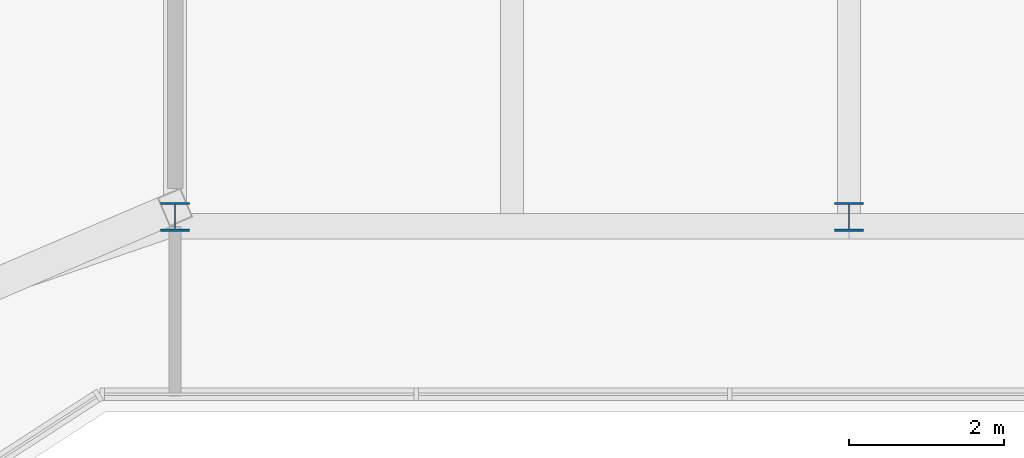
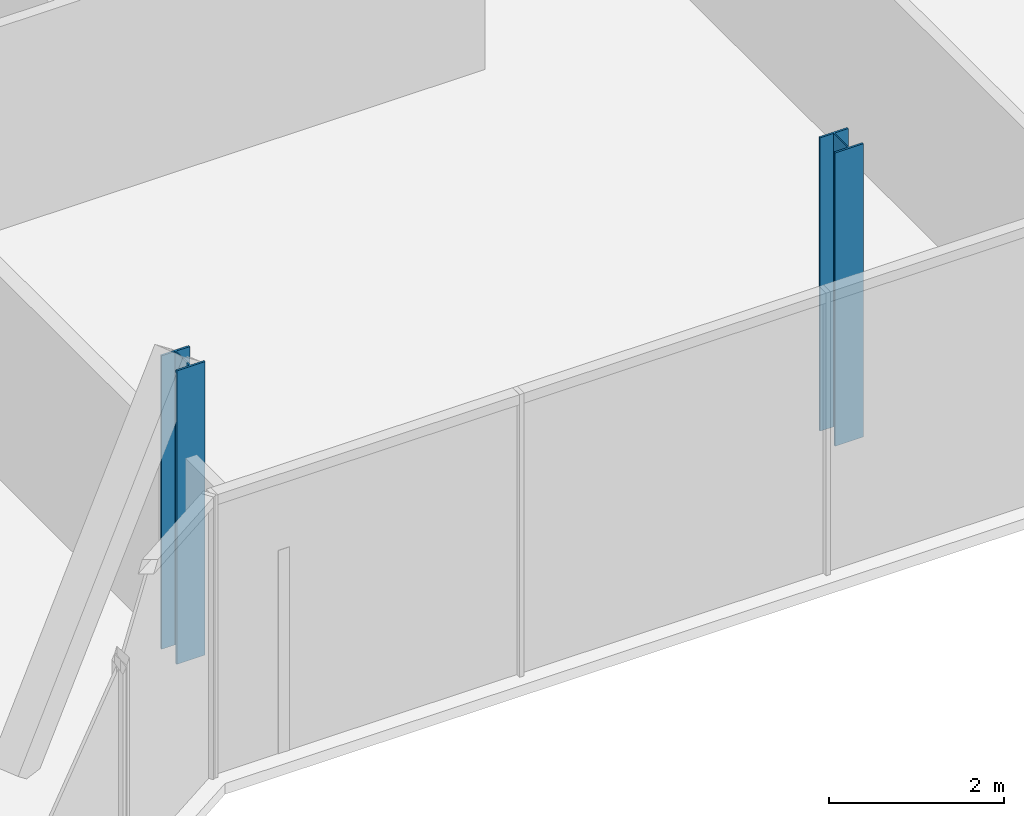
# One storey, part 2 of 20: 2 columns.
"""IFC4 building model written with IfcOpenShell, lengths in metres."""

from ifc_helpers import new_model, si_unit, direction, frame, origin, origin_2d, place, context, subcontext, project, spatial, i_section, extrude, material, material_profile, profile_set, type_object, element, save


model = new_model("IFC4")

# Units and contexts
model_context = context("Model", 3, precision=1e-05, world=origin(), true_north=direction((0.0, 1.0)))
body_context = subcontext(model_context, "Body", "Model", "MODEL_VIEW")
ifc_project = project(units=[si_unit("LENGTHUNIT", "METRE"), si_unit("AREAUNIT", "SQUARE_METRE"), si_unit("VOLUMEUNIT", "CUBIC_METRE"), si_unit("PLANEANGLEUNIT", "RADIAN"), si_unit("MASSUNIT", "GRAM", prefix="KILO")], contexts=[model_context])

# Site, building, storey
site_placement = place(None, origin())
site = spatial("IfcSite", under=ifc_project, at=site_placement, CompositionType="ELEMENT")
building_placement = place(site_placement, origin())
building = spatial("IfcBuilding", under=site, at=building_placement, Name="Bicima Exchange Tower", CompositionType="ELEMENT")
storey_placement = place(building_placement, frame((0.0, 0.0, 199.10009765625)))
storey = spatial("IfcBuildingStorey", under=building, at=storey_placement, Name="L44", CompositionType="ELEMENT", Elevation=199.10009765625)

# Columns
ifc_material = material(Name="Steel ASTM A992 Gr 50", Category="steel")
ifc_material_profile = material_profile(ifc_material, i_section(OverallWidth=0.373291015625, OverallDepth=0.373291015625, WebThickness=0.016357421875, FlangeThickness=0.026123046875, at=origin_2d()))
ifc_profile_set = profile_set([ifc_material_profile], Name="Steel ASTM A992 Gr 50")
column_type = type_object("IfcColumnType", Name="Perimeter column W14x132", PredefinedType="COLUMN", material=ifc_profile_set)
for number, where, z_axis, x_axis, name in (
    (1, (17.39990234375, -30.2060546875, 0.0), (0.0, 0.0, 1.0), (1.0, 0.0, 0.0), "Perimeter column grav+17.4f"),
    (2, (26.10009765625, -30.2060546875, 0.0), (0.0, 0.0, 1.0), (1.0, 0.0, 0.0), "Perimeter column grav+26.1f"),
):
    element("IfcColumn", number, at=place(storey_placement, frame(where, z_axis=z_axis, x_axis=x_axis)), inside=storey, type_object=column_type, Name=name, PredefinedType="COLUMN", context=body_context, shape_type="SweptSolid", body=[
        extrude(i_section(OverallWidth=0.373291015625, OverallDepth=0.373291015625, WebThickness=0.016357421875, FlangeThickness=0.026123046875, at=origin_2d()), origin(), (0.0, 0.0, 1.0), 4.099853515625),
    ])

save(model, "model.ifc")
